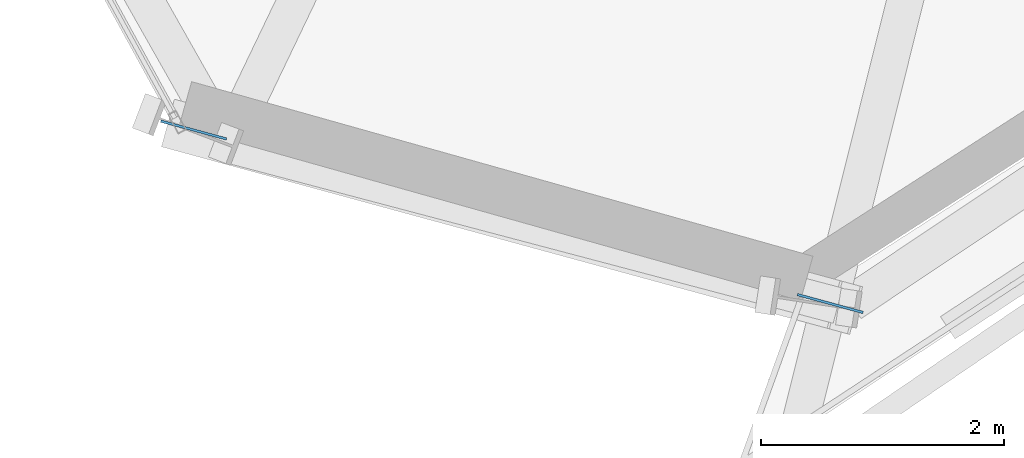
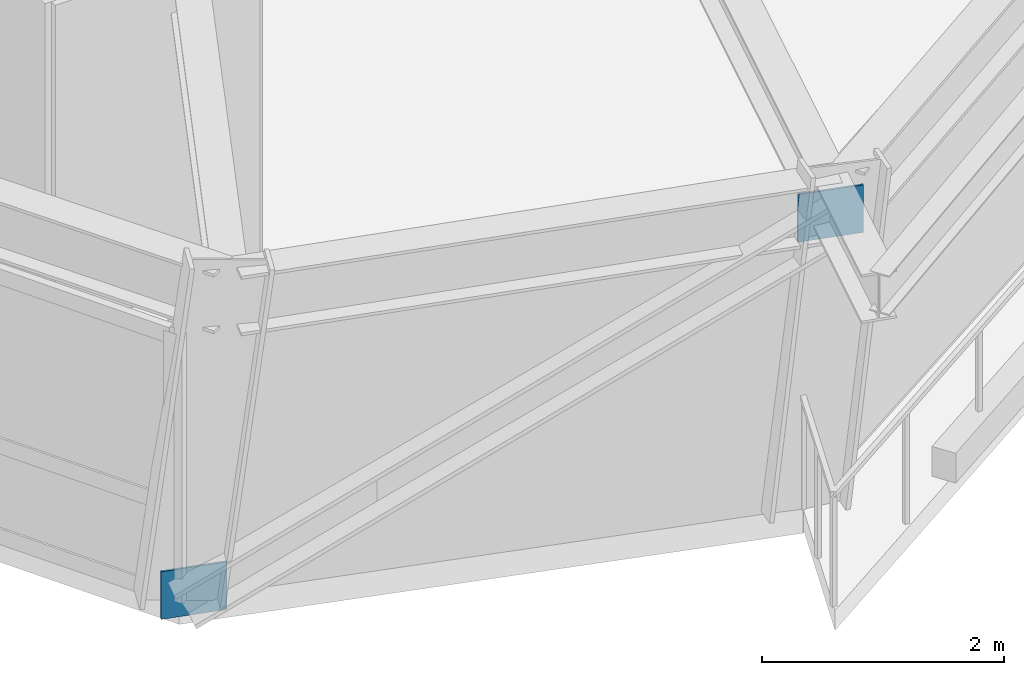
# One storey, part 10 of 21: 2 plates.
"""IFC4 building model written with IfcOpenShell, lengths in metres."""

from ifc_helpers import new_model, si_unit, direction, frame, origin, origin_2d, place, context, subcontext, project, spatial, rectangle, extrude, source, transform, mapped, material, type_object, element, save


model = new_model("IFC4")

# Units and contexts
model_context = context("Model", 3, precision=1e-05, world=origin(), true_north=direction((0.0, 1.0)))
body_context = subcontext(model_context, "Body", "Model", "MODEL_VIEW")
ifc_project = project(units=[si_unit("LENGTHUNIT", "METRE"), si_unit("AREAUNIT", "SQUARE_METRE"), si_unit("VOLUMEUNIT", "CUBIC_METRE"), si_unit("PLANEANGLEUNIT", "RADIAN"), si_unit("MASSUNIT", "GRAM", prefix="KILO")], contexts=[model_context])

# Site, building, storey
site_placement = place(None, origin())
site = spatial("IfcSite", under=ifc_project, at=site_placement, CompositionType="ELEMENT")
building_placement = place(site_placement, origin())
building = spatial("IfcBuilding", under=site, at=building_placement, Name="Olszyna Solenne Hotel", CompositionType="ELEMENT")
storey_placement = place(building_placement, frame((0.0, 0.0, 109.25)))
storey = spatial("IfcBuildingStorey", under=building, at=storey_placement, Name="L28", CompositionType="ELEMENT", Elevation=109.25)

# Plates
ifc_material = material(Name="Steel S355J2", Category="steel")
plate_type = type_object("IfcPlateType", Name="GP-ND2", PredefinedType="USERDEFINED", material=ifc_material)
shared_shape = source(origin(), body_context, "Body", "SweptSolid", [
    extrude(rectangle(XDim=0.56005859375, YDim=0.02001953125, at=origin_2d()), origin(), (0.0, 0.0, 1.0), 0.47998046875),
])
for number, where, z_axis, x_axis, name in (
    (1, (26.86083984375, 4.06103515625, -0.165283203125), (0.0, 0.0, 1.0), (0.964787323829, -0.263031214458, 0.0), "Brace end connection gusset plate GP-ND2 EP-BR-L28-3-1"),
    (2, (32.102783203125, 2.63232421875, 2.665283203125), (0.0, 0.0, 1.0), (0.964787323829, -0.263031214458, 0.0), "Brace end connection gusset plate GP-ND2 EP-BR-L28-3-2"),
):
    element("IfcPlate", number, at=place(storey_placement, frame(where, z_axis=z_axis, x_axis=x_axis)), inside=storey, type_object=plate_type, Name=name, ObjectType="GUSSET_PLATE", PredefinedType="USERDEFINED", context=body_context, shape_type="MappedRepresentation", body=[
        mapped(shared_shape, transform((0.0, 0.0, 0.0), x_axis=(1.0, 0.0, 0.0), y_axis=(0.0, 1.0, 0.0), z_axis=(0.0, 0.0, 1.0), scale=1.0)),
    ])

save(model, "model.ifc")
